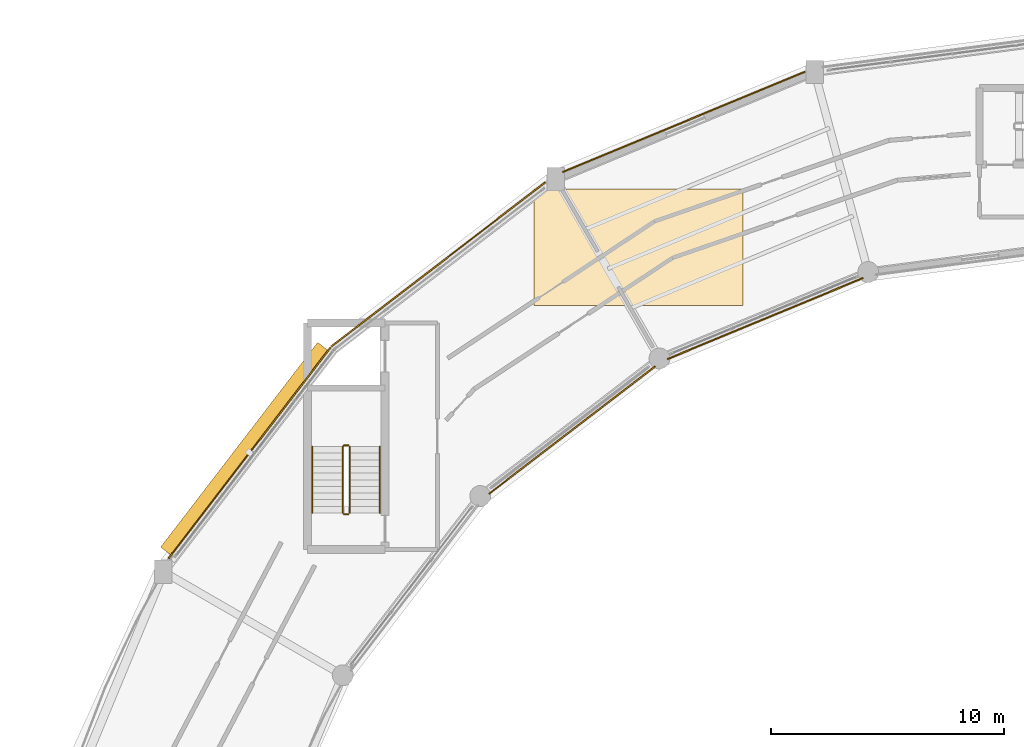
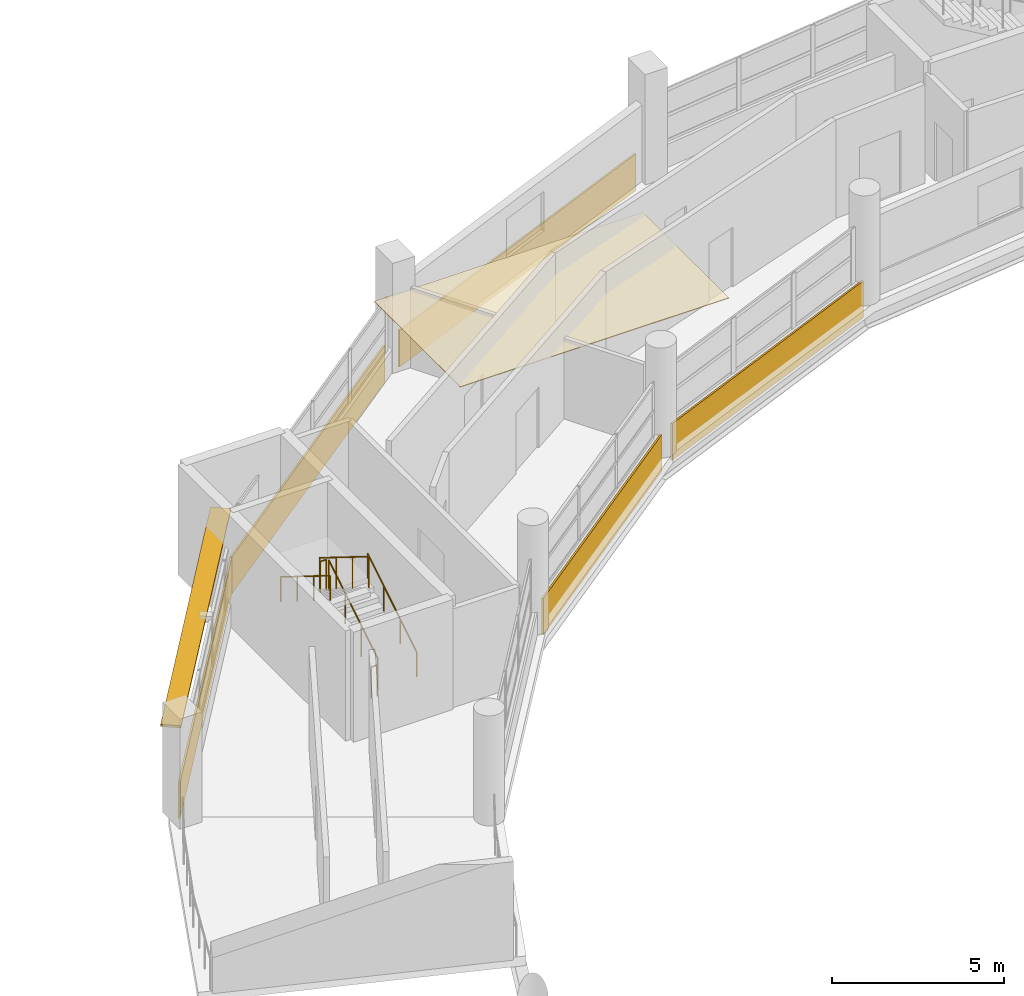
# One storey, part 116 of 121: 6 coverings, 6 railings, 1 shading device.
"""IFC4 building model written with IfcOpenShell, lengths in metres."""

from ifc_helpers import new_model, si_unit, direction, frame, frame_2d, origin, origin_2d, place, context, subcontext, project, spatial, polyline, rectangle, circle, outline, extrude, material, layer, layer_set, type_object, element, save


model = new_model("IFC4")

# Units and contexts
model_context = context("Model", 3, precision=1e-05, world=origin(), true_north=direction((0.0, 1.0)))
body_context = subcontext(model_context, "Body", "Model", "MODEL_VIEW")
ifc_project = project(units=[si_unit("LENGTHUNIT", "METRE"), si_unit("AREAUNIT", "SQUARE_METRE"), si_unit("VOLUMEUNIT", "CUBIC_METRE"), si_unit("PLANEANGLEUNIT", "RADIAN"), si_unit("MASSUNIT", "GRAM", prefix="KILO")], contexts=[model_context])

# Site, building, storey
site_placement = place(None, origin())
site = spatial("IfcSite", under=ifc_project, at=site_placement, CompositionType="ELEMENT")
building_placement = place(site_placement, origin())
building = spatial("IfcBuilding", under=site, at=building_placement, Name="Vespera Passage Community Centre", CompositionType="ELEMENT")
storey_placement = place(building_placement, frame((0.0, 0.0, 8.699951171875)))
storey = spatial("IfcBuildingStorey", under=building, at=storey_placement, Name="L02", CompositionType="ELEMENT", Elevation=8.699951171875)

# Coverings
ifc_material_1 = material(Name="Acoustic mineral-fibre tile")
ifc_layer_1 = layer(ifc_material_1, 0.02490234375)
ifc_layer_set_1 = layer_set([ifc_layer_1], Name="Acoustic mineral-fibre tile")
covering_type_1 = type_object("IfcCoveringType", Name="COV-CEIL-25I", PredefinedType="CEILING", material=ifc_layer_set_1)
covering_1_placement = place(storey_placement, frame((0.0, 0.0, 2.699951171875)))
element("IfcCovering", 1, at=covering_1_placement, inside=storey, type_object=covering_type_1, Name="Adult Classroom Acoustic Ceiling", PredefinedType="CEILING", context=body_context, shape_type="SweptSolid", body=[
    extrude(outline(polyline([(54.0, 100.0), (63.0, 100.0), (63.0, 105.0), (54.0, 105.0), (54.0, 100.0)])), origin(), (0.0, 0.0, 1.0), 0.025146484375),
])
ifc_material_2 = material(Name="Precast concrete f'c 40 MPa", Category="concrete")
ifc_layer_2 = layer(ifc_material_2, 0.06005859375)
ifc_layer_set_2 = layer_set([ifc_layer_2], Name="Precast concrete f'c 40 MPa")
covering_type_2 = type_object("IfcCoveringType", Name="COV-CLAD-60E", PredefinedType="CLADDING", material=ifc_layer_set_2)
covering_2_placement = place(storey_placement, frame((55.23681640625, 105.726806640625, -0.47998046875), z_axis=(0.0, 0.0, 1.0), x_axis=(0.923883530636, 0.382673779896, 0.0)))
element("IfcCovering", 2, at=covering_2_placement, inside=storey, type_object=covering_type_2, Name="V4 L02 Outer White Sill Band O7", PredefinedType="CLADDING", context=body_context, shape_type="SweptSolid", body=[
    extrude(rectangle(XDim=11.2724609375, YDim=0.06005859375, at=frame_2d((5.63623046875, 0.0))), origin(), (0.0, 0.0, 1.0), 1.300048828125),
])
covering_3_placement = place(storey_placement, frame((68.154296875, 101.174560546875, -0.47998046875), z_axis=(0.0, 0.0, 1.0), x_axis=(-0.92387477551, -0.38269491658, 0.0)))
element("IfcCovering", 3, at=covering_3_placement, inside=storey, type_object=covering_type_2, Name="V4 L02 Inner Court White Spandrel Band I7", PredefinedType="CLADDING", context=body_context, shape_type="SweptSolid", body=[
    extrude(rectangle(XDim=9.11181640625, YDim=0.06005859375, at=frame_2d((4.555908203125, 0.0))), origin(), (0.0, 0.0, 1.0), 1.300048828125),
])
covering_4_placement = place(storey_placement, frame((45.298828125, 98.232421875, -0.47998046875), z_axis=(0.0, 0.0, 1.0), x_axis=(0.793347191248, 0.608769442514, 0.0)))
element("IfcCovering", 4, at=covering_4_placement, inside=storey, type_object=covering_type_2, Name="V4 L02 Outer White Spandrel Band O8", PredefinedType="CLADDING", context=body_context, shape_type="SweptSolid", body=[
    extrude(rectangle(XDim=11.5869140625, YDim=0.06005859375, at=frame_2d((5.79345703125, 0.0))), origin(), (0.0, 0.0, 1.0), 1.300048828125),
])
covering_5_placement = place(storey_placement, frame((59.214111328125, 97.378173828125, -0.47998046875), z_axis=(0.0, 0.0, 1.0), x_axis=(-0.793350132061, -0.608765610033, 0.0)))
element("IfcCovering", 5, at=covering_5_placement, inside=storey, type_object=covering_type_2, Name="V4 L02 Inner Court White Spandrel Band I8", PredefinedType="CLADDING", context=body_context, shape_type="SweptSolid", body=[
    extrude(rectangle(XDim=9.004638671875, YDim=0.06005859375, at=frame_2d((4.50244140625, 0.0))), origin(), (0.0, 0.0, 1.0), 1.300048828125),
])
covering_6_placement = place(storey_placement, frame((38.301025390625, 89.122314453125, -0.47998046875), z_axis=(0.0, 0.0, 1.0), x_axis=(0.608766951842, 0.793349102441, 0.0)))
element("IfcCovering", 6, at=covering_6_placement, inside=storey, type_object=covering_type_2, Name="V4 L02 Outer White Spandrel Band O9", PredefinedType="CLADDING", context=body_context, shape_type="SweptSolid", body=[
    extrude(rectangle(XDim=11.443603515625, YDim=0.06005859375, at=frame_2d((5.7216796875, 0.0))), origin(), (0.0, 0.0, 1.0), 1.300048828125),
])

# Railings
ifc_material_3 = material(Name="Steel ASTM A500 Grade C", Category="steel")
railing_type_1 = type_object("IfcRailingType", Name="RL-HAND-900I", PredefinedType="HANDRAIL", material=ifc_material_3)
railing_1_placement = place(storey_placement, frame((47.383056640625, 91.077880859375, 0.17724609375)))
element("IfcRailing", 7, at=railing_1_placement, inside=storey, type_object=railing_type_1, Name="L02 ST03 stair handrail 1", PredefinedType="HANDRAIL", context=body_context, shape_type="SweptSolid", body=[
    extrude(circle(Radius=0.02392578125, at=origin_2d()), frame((0.0, 0.0, 0.8759765625), z_axis=(0.0, 0.849148672731, 0.528153890072), x_axis=(-1.0, 0.0, 0.0)), (0.0, 0.0, 1.0), 3.3564453125),
    extrude(circle(Radius=0.02099609375, at=origin_2d()), origin(), (0.0, 0.0, 1.0), 0.851806640625),
    extrude(circle(Radius=0.02099609375, at=origin_2d()), frame((0.0, 0.949951171875, 0.5908203125)), (0.0, 0.0, 1.0), 0.851806640625),
    extrude(circle(Radius=0.02099609375, at=origin_2d()), frame((0.0, 1.900146484375, 1.181884765625)), (0.0, 0.0, 1.0), 0.851806640625),
    extrude(circle(Radius=0.02099609375, at=origin_2d()), frame((0.0, 2.85009765625, 1.772705078125)), (0.0, 0.0, 1.0), 0.851806640625),
])
railing_2_placement = place(storey_placement, frame((44.48291015625, 93.927978515625, 2.12744140625)))
element("IfcRailing", 8, at=railing_2_placement, inside=storey, type_object=railing_type_1, Name="L02 ST03 stair handrail 2", PredefinedType="HANDRAIL", context=body_context, shape_type="SweptSolid", body=[
    extrude(circle(Radius=0.02392578125, at=origin_2d()), frame((0.0, 0.0, 0.8759765625), z_axis=(0.0, -0.849148672731, 0.528153890072), x_axis=(1.0, 0.0, 0.0)), (0.0, 0.0, 1.0), 3.3564453125),
    extrude(circle(Radius=0.02099609375, at=origin_2d()), origin(), (0.0, 0.0, 1.0), 0.851806640625),
    extrude(circle(Radius=0.02099609375, at=origin_2d()), frame((0.0, -0.949951171875, 0.5908203125)), (0.0, 0.0, 1.0), 0.851806640625),
    extrude(circle(Radius=0.02099609375, at=origin_2d()), frame((0.0, -1.900146484375, 1.181884765625)), (0.0, 0.0, 1.0), 0.851806640625),
    extrude(circle(Radius=0.02099609375, at=origin_2d()), frame((0.0, -2.85009765625, 1.772705078125)), (0.0, 0.0, 1.0), 0.851806640625),
])
ifc_material_4 = material(Name="Steel ASTM A500 Grade C", Category="steel")
railing_type_2 = type_object("IfcRailingType", Name="RL-STAIR-1100I", PredefinedType="GUARDRAIL", material=ifc_material_4)
railing_3_placement = place(storey_placement, frame((46.0830078125, 91.077880859375, 0.17724609375)))
element("IfcRailing", 9, at=railing_3_placement, inside=storey, type_object=railing_type_2, Name="L02 ST03 stair guard 1", PredefinedType="GUARDRAIL", context=body_context, shape_type="SweptSolid", body=[
    extrude(circle(Radius=0.02392578125, at=origin_2d()), frame((0.0, 0.0, 1.09619140625), z_axis=(0.0, 0.849148672731, 0.528153890072), x_axis=(-1.0, 0.0, 0.0)), (0.0, 0.0, 1.0), 3.3564453125),
    extrude(circle(Radius=0.02099609375, at=origin_2d()), origin(), (0.0, 0.0, 1.0), 1.072021484375),
    extrude(circle(Radius=0.02099609375, at=origin_2d()), frame((0.0, 0.949951171875, 0.5908203125)), (0.0, 0.0, 1.0), 1.072021484375),
    extrude(circle(Radius=0.02099609375, at=origin_2d()), frame((0.0, 1.900146484375, 1.181884765625)), (0.0, 0.0, 1.0), 1.072021484375),
    extrude(circle(Radius=0.02099609375, at=origin_2d()), frame((0.0, 2.85009765625, 1.772705078125)), (0.0, 0.0, 1.0), 1.072021484375),
])
railing_4_placement = place(storey_placement, frame((46.032958984375, 93.97802734375, 1.949951171875)))
element("IfcRailing", 10, at=railing_4_placement, inside=storey, type_object=railing_type_2, Name="L02 ST03 stair guard 2", PredefinedType="GUARDRAIL", context=body_context, shape_type="SweptSolid", body=[
    extrude(circle(Radius=0.02392578125, at=origin_2d()), frame((0.0, 0.0, 1.09619140625), z_axis=(-1.0, 0.0, 0.0), x_axis=(0.0, -1.0, 0.0)), (0.0, 0.0, 1.0), 0.199951171875),
    extrude(circle(Radius=0.02099609375, at=origin_2d()), origin(), (0.0, 0.0, 1.0), 1.072021484375),
    extrude(circle(Radius=0.02099609375, at=origin_2d()), frame((-0.199951171875, 0.0, 0.0)), (0.0, 0.0, 1.0), 1.072021484375),
])
railing_5_placement = place(storey_placement, frame((45.782958984375, 93.927978515625, 2.12744140625)))
element("IfcRailing", 11, at=railing_5_placement, inside=storey, type_object=railing_type_2, Name="L02 ST03 stair guard 3", PredefinedType="GUARDRAIL", context=body_context, shape_type="SweptSolid", body=[
    extrude(circle(Radius=0.02392578125, at=origin_2d()), frame((0.0, 0.0, 1.09619140625), z_axis=(0.0, -0.849148672731, 0.528153890072), x_axis=(1.0, 0.0, 0.0)), (0.0, 0.0, 1.0), 3.3564453125),
    extrude(circle(Radius=0.02099609375, at=origin_2d()), origin(), (0.0, 0.0, 1.0), 1.072021484375),
    extrude(circle(Radius=0.02099609375, at=origin_2d()), frame((0.0, -0.949951171875, 0.5908203125)), (0.0, 0.0, 1.0), 1.072021484375),
    extrude(circle(Radius=0.02099609375, at=origin_2d()), frame((0.0, -1.900146484375, 1.181884765625)), (0.0, 0.0, 1.0), 1.072021484375),
    extrude(circle(Radius=0.02099609375, at=origin_2d()), frame((0.0, -2.85009765625, 1.772705078125)), (0.0, 0.0, 1.0), 1.072021484375),
])
railing_6_placement = place(storey_placement, frame((46.032958984375, 91.028076171875, 0.0)))
element("IfcRailing", 12, at=railing_6_placement, inside=storey, type_object=railing_type_2, Name="L02 ST03 stair guard 4", PredefinedType="GUARDRAIL", context=body_context, shape_type="SweptSolid", body=[
    extrude(circle(Radius=0.02392578125, at=origin_2d()), frame((0.0, 0.0, 1.09619140625), z_axis=(-1.0, 0.0, 0.0), x_axis=(0.0, -1.0, 0.0)), (0.0, 0.0, 1.0), 0.199951171875),
    extrude(circle(Radius=0.02099609375, at=origin_2d()), origin(), (0.0, 0.0, 1.0), 1.072021484375),
    extrude(circle(Radius=0.02099609375, at=origin_2d()), frame((-0.199951171875, 0.0, 0.0)), (0.0, 0.0, 1.0), 1.072021484375),
])

# Shading device
ifc_material_5 = material(Name="Anodized aluminium 6063-T6", Category="aluminium")
shading_device_type = type_object("IfcShadingDeviceType", Name="SHD-EYEBROW", PredefinedType="JALOUSIE", material=ifc_material_5)
shading_device_placement = place(storey_placement, frame((41.570068359375, 93.826171875, 2.605712890625), z_axis=(0.0, 0.0, 1.0), x_axis=(0.608761429009, 0.793353340291, 0.0)))
element("IfcShadingDevice", 13, at=shading_device_placement, inside=storey, type_object=shading_device_type, Name="V4 L02 Outer Solar Eyebrow 9", PredefinedType="JALOUSIE", context=body_context, shape_type="SweptSolid", body=[
    extrude(rectangle(XDim=11.093505859375, YDim=0.60009765625, at=origin_2d()), origin(), (0.0, 0.0, 1.0), 0.080078125),
])

save(model, "model.ifc")
